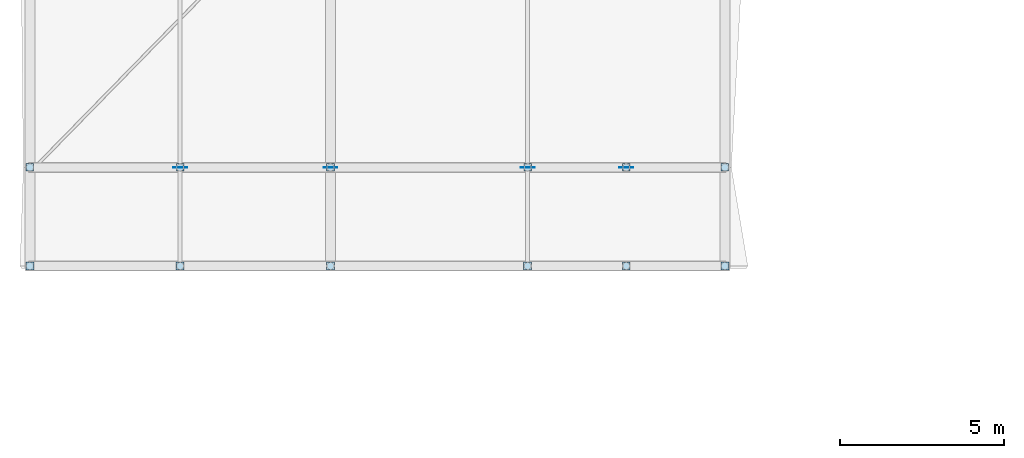
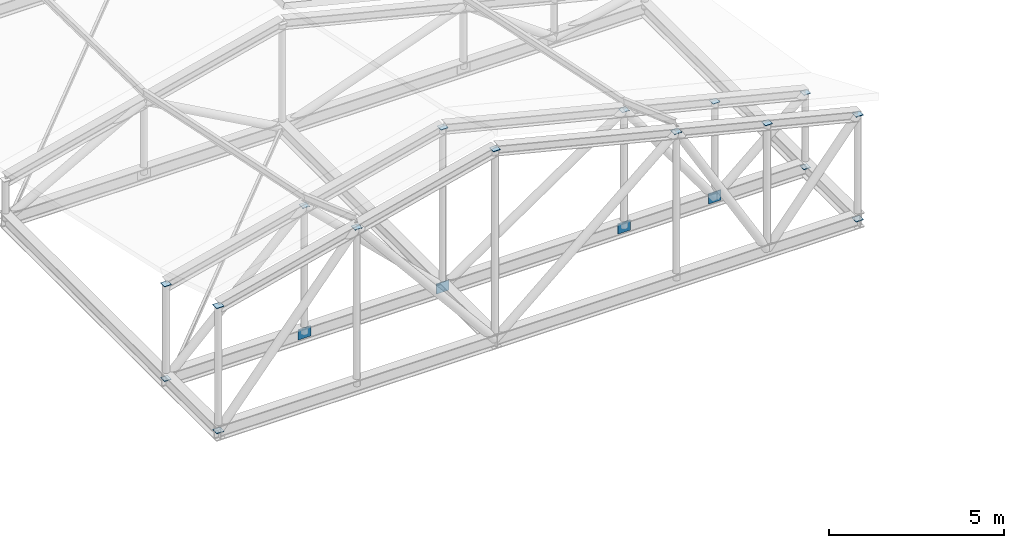
# One storey, part 39 of 61: 20 plates.
"""IFC4 building model written with IfcOpenShell, lengths in metres."""

from ifc_helpers import new_model, si_unit, direction, frame, origin, origin_2d, place, context, subcontext, project, spatial, rectangle, extrude, material, layer, layer_set, type_object, element, save


model = new_model("IFC4")

# Units and contexts
model_context = context("Model", 3, precision=1e-05, world=origin(), true_north=direction((0.0, 1.0)))
body_context = subcontext(model_context, "Body", "Model", "MODEL_VIEW")
ifc_project = project(units=[si_unit("LENGTHUNIT", "METRE"), si_unit("AREAUNIT", "SQUARE_METRE"), si_unit("VOLUMEUNIT", "CUBIC_METRE"), si_unit("PLANEANGLEUNIT", "RADIAN"), si_unit("MASSUNIT", "GRAM", prefix="KILO")], contexts=[model_context])

# Site, building, storey
site_placement = place(None, origin())
site = spatial("IfcSite", under=ifc_project, at=site_placement, CompositionType="ELEMENT")
building_placement = place(site_placement, origin())
building = spatial("IfcBuilding", under=site, at=building_placement, Name="Bozkorgan Art Gallery", CompositionType="ELEMENT")
storey_placement = place(building_placement, frame((0.0, 0.0, 10.199951171875)))
storey = spatial("IfcBuildingStorey", under=building, at=storey_placement, Name="L02", CompositionType="ELEMENT", Elevation=10.199951171875)

# Plates
ifc_material = material(Name="Steel S355J2", Category="steel")
ifc_layer_1 = layer(ifc_material, 0.01611328125, Name="Steel S355J2")
ifc_layer_set_1 = layer_set([ifc_layer_1], Name="Steel S355J2")
plate_type_1 = type_object("IfcPlateType", Name="PLATE-EC-05", PredefinedType="USERDEFINED", material=ifc_layer_set_1)
for number, where, z_axis, x_axis, name in (
    (1, (1.85009765625, 56.800048828125, 3.55419921875), (0.0, 0.0, 1.0), (1.0, 0.0, 0.0), "Truss V2 post cap 2.0"),
    (2, (1.85009765625, 56.800048828125, 0.241943359375), (0.0, 0.0, 1.0), (1.0, 0.0, 0.0), "Truss V2 post base cap 2.0"),
    (3, (6.425048828125, 56.800048828125, 4.69482421875), (0.0, 0.0, 1.0), (1.0, 0.0, 0.0), "Truss V2 post cap 2.1"),
    (4, (11.0, 56.800048828125, 5.835693359375), (0.0, 0.0, 1.0), (1.0, 0.0, 0.0), "Truss V2 post cap 2.2"),
    (5, (17.0, 56.800048828125, 4.339599609375), (0.0, 0.0, 1.0), (1.0, 0.0, 0.0), "Truss V2 post cap 2.3"),
    (6, (20.0, 56.800048828125, 3.591552734375), (0.0, 0.0, 1.0), (1.0, 0.0, 0.0), "Truss V2 post cap 2.4"),
    (7, (23.0, 56.800048828125, 2.84375), (0.0, 0.0, 1.0), (1.0, 0.0, 0.0), "Truss V2 post cap 2.5"),
    (8, (23.0, 56.800048828125, 0.241943359375), (0.0, 0.0, 1.0), (1.0, 0.0, 0.0), "Truss V2 post base cap 2.5"),
):
    element("IfcPlate", number, at=place(storey_placement, frame(where, z_axis=z_axis, x_axis=x_axis)), inside=storey, type_object=plate_type_1, Name=name, ObjectType="END CAP PLATE", PredefinedType="USERDEFINED", context=body_context, shape_type="SweptSolid", body=[
        extrude(rectangle(XDim=0.22998046875, YDim=0.22998046875, at=origin_2d()), origin(), (0.0, 0.0, 1.0), 0.01611328125),
    ])
ifc_layer_2 = layer(ifc_material, 0.02001953125, Name="Steel S355J2")
ifc_layer_set_2 = layer_set([ifc_layer_2], Name="Steel S355J2")
plate_type_2 = type_object("IfcPlateType", Name="PLATE-EC-24", PredefinedType="USERDEFINED", material=ifc_layer_set_2)
for number, where, z_axis, x_axis, name in (
    (9, (1.85009765625, 53.800048828125, 4.614013671875), (0.0, 0.0, 1.0), (1.0, 0.0, 0.0), "Truss V2 post cap 1.0"),
    (10, (1.85009765625, 53.800048828125, 0.239990234375), (0.0, 0.0, 1.0), (1.0, 0.0, 0.0), "Truss V2 post base cap 1.0"),
    (11, (6.425048828125, 53.800048828125, 5.754638671875), (0.0, 0.0, 1.0), (1.0, 0.0, 0.0), "Truss V2 post cap 1.1"),
    (12, (11.0, 53.800048828125, 6.895263671875), (0.0, 0.0, 1.0), (1.0, 0.0, 0.0), "Truss V2 post cap 1.2"),
    (13, (17.0, 53.800048828125, 5.399169921875), (0.0, 0.0, 1.0), (1.0, 0.0, 0.0), "Truss V2 post cap 1.3"),
    (14, (20.0, 53.800048828125, 4.6513671875), (0.0, 0.0, 1.0), (1.0, 0.0, 0.0), "Truss V2 post cap 1.4"),
    (15, (23.0, 53.800048828125, 3.9033203125), (0.0, 0.0, 1.0), (1.0, 0.0, 0.0), "Truss V2 post cap 1.5"),
    (16, (23.0, 53.800048828125, 0.239990234375), (0.0, 0.0, 1.0), (1.0, 0.0, 0.0), "Truss V2 post base cap 1.5"),
):
    element("IfcPlate", number, at=place(storey_placement, frame(where, z_axis=z_axis, x_axis=x_axis)), inside=storey, type_object=plate_type_2, Name=name, ObjectType="END CAP PLATE", PredefinedType="USERDEFINED", context=body_context, shape_type="SweptSolid", body=[
        extrude(rectangle(XDim=0.239990234375, YDim=0.239990234375, at=origin_2d()), origin(), (0.0, 0.0, 1.0), 0.02001953125),
    ])
ifc_layer_3 = layer(ifc_material, 0.02392578125, Name="Steel S355J2")
ifc_layer_set_3 = layer_set([ifc_layer_3], Name="Steel S355J2")
plate_type_3 = type_object("IfcPlateType", Name="PLATE-GP-38", PredefinedType="USERDEFINED", material=ifc_layer_set_3)
plate_placement = place(storey_placement, frame((11.0, 56.800048828125, 0.06982421875), z_axis=(0.0, 0.0, 1.0), x_axis=(1.0, 0.0, 0.0)))
element("IfcPlate", 17, at=plate_placement, inside=storey, type_object=plate_type_3, Name="Truss V2 span 2 node gusset TN-2", ObjectType="GUSSET PLATE", PredefinedType="USERDEFINED", context=body_context, shape_type="SweptSolid", body=[
    extrude(rectangle(XDim=0.419921875, YDim=0.02001953125, at=origin_2d()), origin(), (0.0, 0.0, 1.0), 0.360107421875),
])
ifc_layer_4 = layer(ifc_material, 0.02001953125, Name="Steel S355J2")
ifc_layer_set_4 = layer_set([ifc_layer_4], Name="Steel S355J2")
plate_type_4 = type_object("IfcPlateType", Name="PLATE-GP-55", PredefinedType="USERDEFINED", material=ifc_layer_set_4)
for number, where, z_axis, x_axis, name in (
    (18, (6.425048828125, 56.800048828125, 0.06982421875), (0.0, 0.0, 1.0), (1.0, 0.0, 0.0), "Truss V2 span 2 node gusset TN-1"),
    (19, (17.0, 56.800048828125, 0.06982421875), (0.0, 0.0, 1.0), (1.0, 0.0, 0.0), "Truss V2 span 2 node gusset TN-3"),
    (20, (20.0, 56.800048828125, 0.06982421875), (0.0, 0.0, 1.0), (1.0, 0.0, 0.0), "Truss V2 span 2 node gusset TN-4"),
):
    element("IfcPlate", number, at=place(storey_placement, frame(where, z_axis=z_axis, x_axis=x_axis)), inside=storey, type_object=plate_type_4, Name=name, ObjectType="GUSSET PLATE", PredefinedType="USERDEFINED", context=body_context, shape_type="SweptSolid", body=[
        extrude(rectangle(XDim=0.419921875, YDim=0.02001953125, at=origin_2d()), origin(), (0.0, 0.0, 1.0), 0.360107421875),
    ])

save(model, "model.ifc")
